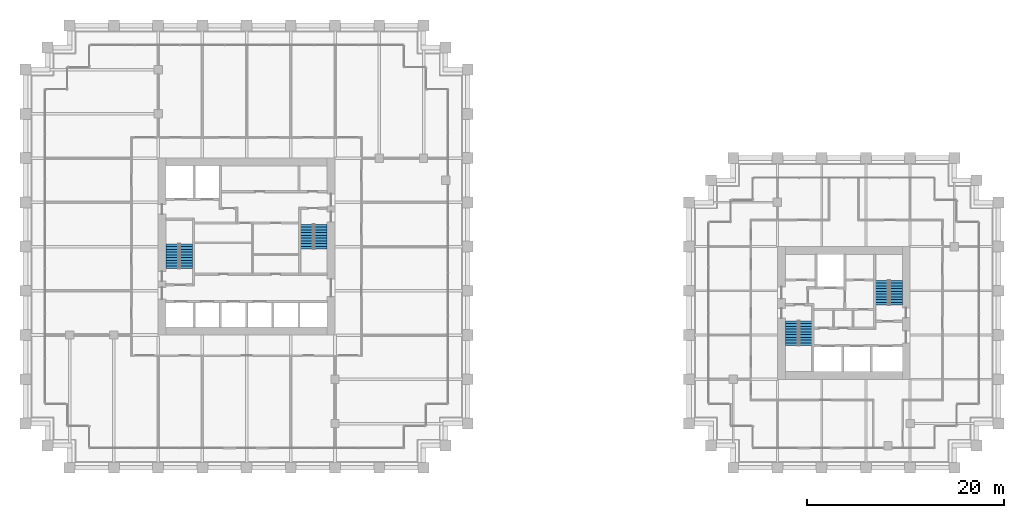
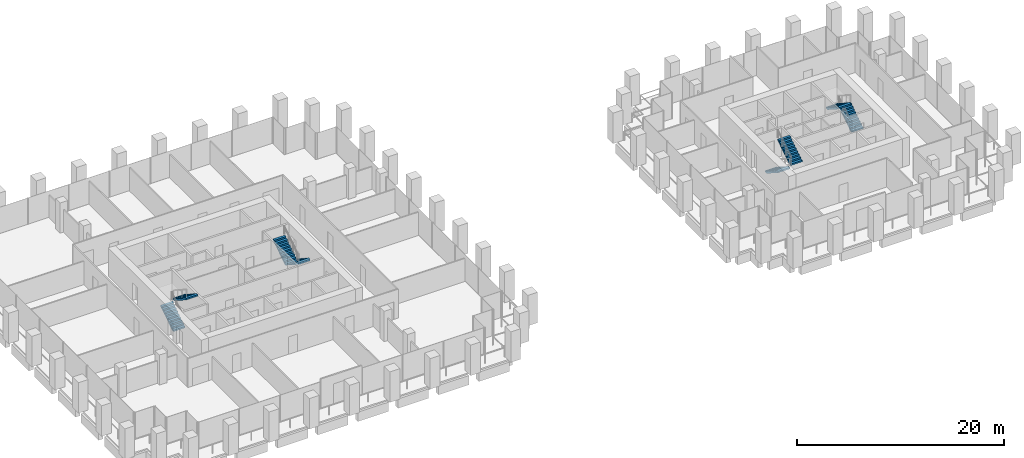
# One storey, part 54 of 56: 8 stair flights, 4 elements without a shape of their own.
"""IFC4 building model written with IfcOpenShell, lengths in metres."""

from ifc_helpers import new_model, si_unit, direction, frame, origin, place, context, subcontext, project, spatial, polyline, outline, extrude, material, type_object, element, aggregate, save


model = new_model("IFC4")

# Units and contexts
model_context = context("Model", 3, precision=1e-05, world=origin(), true_north=direction((0.0, 1.0)))
body_context = subcontext(model_context, "Body", "Model", "MODEL_VIEW")
ifc_project = project(units=[si_unit("LENGTHUNIT", "METRE"), si_unit("AREAUNIT", "SQUARE_METRE"), si_unit("VOLUMEUNIT", "CUBIC_METRE"), si_unit("PLANEANGLEUNIT", "RADIAN"), si_unit("MASSUNIT", "GRAM", prefix="KILO")], contexts=[model_context])

# Site, building, storey
site_placement = place(None, origin())
site = spatial("IfcSite", under=ifc_project, at=site_placement, CompositionType="ELEMENT")
building_placement = place(site_placement, origin())
building = spatial("IfcBuilding", under=site, at=building_placement, Name="Altepetl Exchange Towers", CompositionType="ELEMENT")
storey_placement = place(building_placement, frame((0.0, 0.0, 51.0)))
storey = spatial("IfcBuildingStorey", under=building, at=storey_placement, Name="L11", CompositionType="ELEMENT", Elevation=51.0)

# Stair, stair flights
ifc_material = material(Name="Concrete C40/50", Category="concrete")
stair_type = type_object("IfcStairType", Name="Exit stair 1300 flights dogleg", PredefinedType="HALF_TURN_STAIR", material=ifc_material)
stair_1_placement = place(storey_placement, origin())
stair_1 = element("IfcStair", 1, at=stair_1_placement, inside=storey, type_object=stair_type, Name="Exit stair 1", PredefinedType="HALF_TURN_STAIR")
stair_flight_type = type_object("IfcStairFlightType", Name="Stair flight 1300 wide", PredefinedType="STRAIGHT", material=ifc_material)
stair_flight_1_placement = place(storey_placement, frame((41.949951171875, 47.25, 0.0), z_axis=(0.0, 0.0, 1.0), x_axis=(0.0, 1.0, 0.0)))
stair_flight_1 = element("IfcStairFlight", 2, at=stair_flight_1_placement, type_object=stair_flight_type, Name="ST-A1c flight 1", NumberOfRisers=10, NumberOfTreads=9, PredefinedType="STRAIGHT", RiserHeight=0.18, TreadLength=0.28, context=body_context, shape_type="SweptSolid", body=[
    extrude(outline(polyline([(0.0, 0.0), (0.0, 0.179931640625), (0.280029296875, 0.179931640625), (0.280029296875, 0.360107421875), (0.56005859375, 0.360107421875), (0.56005859375, 0.5400390625), (0.840087890625, 0.5400390625), (0.840087890625, 0.719970703125), (1.1201171875, 0.719970703125), (1.1201171875, 0.89990234375), (1.39990234375, 0.89990234375), (1.39990234375, 1.080078125), (1.679931640625, 1.080078125), (1.679931640625, 1.260009765625), (1.9599609375, 1.260009765625), (1.9599609375, 1.43994140625), (2.239990234375, 1.43994140625), (2.239990234375, 1.6201171875), (2.52001953125, 1.6201171875), (2.52001953125, 1.800048828125), (2.52001953125, 1.44189453125), (0.277099609375, 0.0), (0.0, 0.0)])), frame((0.0, 0.64990234375, 0.0), z_axis=(0.0, -1.0, 0.0), x_axis=(1.0, 0.0, 0.0)), (0.0, 0.0, 1.0), 1.300048828125),
])
stair_flight_2_placement = place(storey_placement, frame((43.35009765625, 49.77001953125, 1.800048828125), z_axis=(0.0, 0.0, 1.0), x_axis=(0.0, -1.0, 0.0)))
stair_flight_2 = element("IfcStairFlight", 3, at=stair_flight_2_placement, type_object=stair_flight_type, Name="ST-A1c flight 2", NumberOfRisers=10, NumberOfTreads=9, PredefinedType="STRAIGHT", RiserHeight=0.18, TreadLength=0.28, context=body_context, shape_type="SweptSolid", body=[
    extrude(outline(polyline([(0.0, 0.0), (0.0, 0.179931640625), (0.280029296875, 0.179931640625), (0.280029296875, 0.360107421875), (0.56005859375, 0.360107421875), (0.56005859375, 0.5400390625), (0.840087890625, 0.5400390625), (0.840087890625, 0.719970703125), (1.1201171875, 0.719970703125), (1.1201171875, 0.89990234375), (1.39990234375, 0.89990234375), (1.39990234375, 1.080078125), (1.679931640625, 1.080078125), (1.679931640625, 1.260009765625), (1.9599609375, 1.260009765625), (1.9599609375, 1.43994140625), (2.239990234375, 1.43994140625), (2.239990234375, 1.6201171875), (2.52001953125, 1.6201171875), (2.52001953125, 1.800048828125), (2.52001953125, 1.44189453125), (0.277099609375, 0.0), (0.0, 0.0)])), frame((0.0, 0.64990234375, 0.0), z_axis=(0.0, -1.0, 0.0), x_axis=(1.0, 0.0, 0.0)), (0.0, 0.0, 1.0), 1.300048828125),
])
aggregate(stair_1, [stair_flight_1, stair_flight_2])

stair_2_placement = place(storey_placement, origin())
stair_2 = element("IfcStair", 4, at=stair_2_placement, inside=storey, type_object=stair_type, Name="Exit stair 2", PredefinedType="HALF_TURN_STAIR")
stair_flight_3_placement = place(storey_placement, frame((57.050048828125, 51.75, 0.0), z_axis=(0.0, 0.0, 1.0), x_axis=(0.0, -1.0, 0.0)))
stair_flight_3 = element("IfcStairFlight", 5, at=stair_flight_3_placement, type_object=stair_flight_type, Name="ST-A2c flight 1", NumberOfRisers=10, NumberOfTreads=9, PredefinedType="STRAIGHT", RiserHeight=0.18, TreadLength=0.28, context=body_context, shape_type="SweptSolid", body=[
    extrude(outline(polyline([(0.0, 0.0), (0.0, 0.179931640625), (0.280029296875, 0.179931640625), (0.280029296875, 0.360107421875), (0.56005859375, 0.360107421875), (0.56005859375, 0.5400390625), (0.840087890625, 0.5400390625), (0.840087890625, 0.719970703125), (1.1201171875, 0.719970703125), (1.1201171875, 0.89990234375), (1.39990234375, 0.89990234375), (1.39990234375, 1.080078125), (1.679931640625, 1.080078125), (1.679931640625, 1.260009765625), (1.9599609375, 1.260009765625), (1.9599609375, 1.43994140625), (2.239990234375, 1.43994140625), (2.239990234375, 1.6201171875), (2.52001953125, 1.6201171875), (2.52001953125, 1.800048828125), (2.52001953125, 1.44189453125), (0.277099609375, 0.0), (0.0, 0.0)])), frame((0.0, 0.64990234375, 0.0), z_axis=(0.0, -1.0, 0.0), x_axis=(1.0, 0.0, 0.0)), (0.0, 0.0, 1.0), 1.300048828125),
])
stair_flight_4_placement = place(storey_placement, frame((55.64990234375, 49.22998046875, 1.800048828125), z_axis=(0.0, 0.0, 1.0), x_axis=(0.0, 1.0, 0.0)))
stair_flight_4 = element("IfcStairFlight", 6, at=stair_flight_4_placement, type_object=stair_flight_type, Name="ST-A2c flight 2", NumberOfRisers=10, NumberOfTreads=9, PredefinedType="STRAIGHT", RiserHeight=0.18, TreadLength=0.28, context=body_context, shape_type="SweptSolid", body=[
    extrude(outline(polyline([(0.0, 0.0), (0.0, 0.179931640625), (0.280029296875, 0.179931640625), (0.280029296875, 0.360107421875), (0.56005859375, 0.360107421875), (0.56005859375, 0.5400390625), (0.840087890625, 0.5400390625), (0.840087890625, 0.719970703125), (1.1201171875, 0.719970703125), (1.1201171875, 0.89990234375), (1.39990234375, 0.89990234375), (1.39990234375, 1.080078125), (1.679931640625, 1.080078125), (1.679931640625, 1.260009765625), (1.9599609375, 1.260009765625), (1.9599609375, 1.43994140625), (2.239990234375, 1.43994140625), (2.239990234375, 1.6201171875), (2.52001953125, 1.6201171875), (2.52001953125, 1.800048828125), (2.52001953125, 1.44189453125), (0.277099609375, 0.0), (0.0, 0.0)])), frame((0.0, 0.64990234375, 0.0), z_axis=(0.0, -1.0, 0.0), x_axis=(1.0, 0.0, 0.0)), (0.0, 0.0, 1.0), 1.300048828125),
])
aggregate(stair_2, [stair_flight_3, stair_flight_4])

stair_3_placement = place(storey_placement, origin())
stair_3 = element("IfcStair", 7, at=stair_3_placement, inside=storey, type_object=stair_type, Name="Exit stair 1", PredefinedType="HALF_TURN_STAIR")
stair_flight_5_placement = place(storey_placement, frame((104.949951171875, 41.949951171875, 0.0), z_axis=(0.0, 0.0, 1.0), x_axis=(0.0, -1.0, 0.0)))
stair_flight_5 = element("IfcStairFlight", 8, at=stair_flight_5_placement, type_object=stair_flight_type, Name="ST-B1c flight 1", NumberOfRisers=10, NumberOfTreads=9, PredefinedType="STRAIGHT", RiserHeight=0.18, TreadLength=0.28, context=body_context, shape_type="SweptSolid", body=[
    extrude(outline(polyline([(0.0, 0.0), (0.0, 0.179931640625), (0.280029296875, 0.179931640625), (0.280029296875, 0.360107421875), (0.56005859375, 0.360107421875), (0.56005859375, 0.5400390625), (0.840087890625, 0.5400390625), (0.840087890625, 0.719970703125), (1.1201171875, 0.719970703125), (1.1201171875, 0.89990234375), (1.39990234375, 0.89990234375), (1.39990234375, 1.080078125), (1.679931640625, 1.080078125), (1.679931640625, 1.260009765625), (1.9599609375, 1.260009765625), (1.9599609375, 1.43994140625), (2.239990234375, 1.43994140625), (2.239990234375, 1.6201171875), (2.52001953125, 1.6201171875), (2.52001953125, 1.800048828125), (2.52001953125, 1.44189453125), (0.277099609375, 0.0), (0.0, 0.0)])), frame((0.0, 0.64990234375, 0.0), z_axis=(0.0, -1.0, 0.0), x_axis=(1.0, 0.0, 0.0)), (0.0, 0.0, 1.0), 1.300048828125),
])
stair_flight_6_placement = place(storey_placement, frame((106.35009765625, 39.429931640625, 1.800048828125), z_axis=(0.0, 0.0, 1.0), x_axis=(0.0, 1.0, 0.0)))
stair_flight_6 = element("IfcStairFlight", 9, at=stair_flight_6_placement, type_object=stair_flight_type, Name="ST-B1c flight 2", NumberOfRisers=10, NumberOfTreads=9, PredefinedType="STRAIGHT", RiserHeight=0.18, TreadLength=0.28, context=body_context, shape_type="SweptSolid", body=[
    extrude(outline(polyline([(0.0, 0.0), (0.0, 0.179931640625), (0.280029296875, 0.179931640625), (0.280029296875, 0.360107421875), (0.56005859375, 0.360107421875), (0.56005859375, 0.5400390625), (0.840087890625, 0.5400390625), (0.840087890625, 0.719970703125), (1.1201171875, 0.719970703125), (1.1201171875, 0.89990234375), (1.39990234375, 0.89990234375), (1.39990234375, 1.080078125), (1.679931640625, 1.080078125), (1.679931640625, 1.260009765625), (1.9599609375, 1.260009765625), (1.9599609375, 1.43994140625), (2.239990234375, 1.43994140625), (2.239990234375, 1.6201171875), (2.52001953125, 1.6201171875), (2.52001953125, 1.800048828125), (2.52001953125, 1.44189453125), (0.277099609375, 0.0), (0.0, 0.0)])), frame((0.0, 0.64990234375, 0.0), z_axis=(0.0, -1.0, 0.0), x_axis=(1.0, 0.0, 0.0)), (0.0, 0.0, 1.0), 1.300048828125),
])
aggregate(stair_3, [stair_flight_5, stair_flight_6])

stair_4_placement = place(storey_placement, origin())
stair_4 = element("IfcStair", 10, at=stair_4_placement, inside=storey, type_object=stair_type, Name="Exit stair 2", PredefinedType="HALF_TURN_STAIR")
stair_flight_7_placement = place(storey_placement, frame((115.550048828125, 43.550048828125, 0.0), z_axis=(0.0, 0.0, 1.0), x_axis=(0.0, 1.0, 0.0)))
stair_flight_7 = element("IfcStairFlight", 11, at=stair_flight_7_placement, type_object=stair_flight_type, Name="ST-B2c flight 1", NumberOfRisers=10, NumberOfTreads=9, PredefinedType="STRAIGHT", RiserHeight=0.18, TreadLength=0.28, context=body_context, shape_type="SweptSolid", body=[
    extrude(outline(polyline([(0.0, 0.0), (0.0, 0.179931640625), (0.280029296875, 0.179931640625), (0.280029296875, 0.360107421875), (0.56005859375, 0.360107421875), (0.56005859375, 0.5400390625), (0.840087890625, 0.5400390625), (0.840087890625, 0.719970703125), (1.1201171875, 0.719970703125), (1.1201171875, 0.89990234375), (1.39990234375, 0.89990234375), (1.39990234375, 1.080078125), (1.679931640625, 1.080078125), (1.679931640625, 1.260009765625), (1.9599609375, 1.260009765625), (1.9599609375, 1.43994140625), (2.239990234375, 1.43994140625), (2.239990234375, 1.6201171875), (2.52001953125, 1.6201171875), (2.52001953125, 1.800048828125), (2.52001953125, 1.44189453125), (0.277099609375, 0.0), (0.0, 0.0)])), frame((0.0, 0.64990234375, 0.0), z_axis=(0.0, -1.0, 0.0), x_axis=(1.0, 0.0, 0.0)), (0.0, 0.0, 1.0), 1.300048828125),
])
stair_flight_8_placement = place(storey_placement, frame((114.14990234375, 46.070068359375, 1.800048828125), z_axis=(0.0, 0.0, 1.0), x_axis=(0.0, -1.0, 0.0)))
stair_flight_8 = element("IfcStairFlight", 12, at=stair_flight_8_placement, type_object=stair_flight_type, Name="ST-B2c flight 2", NumberOfRisers=10, NumberOfTreads=9, PredefinedType="STRAIGHT", RiserHeight=0.18, TreadLength=0.28, context=body_context, shape_type="SweptSolid", body=[
    extrude(outline(polyline([(0.0, 0.0), (0.0, 0.179931640625), (0.280029296875, 0.179931640625), (0.280029296875, 0.360107421875), (0.56005859375, 0.360107421875), (0.56005859375, 0.5400390625), (0.840087890625, 0.5400390625), (0.840087890625, 0.719970703125), (1.1201171875, 0.719970703125), (1.1201171875, 0.89990234375), (1.39990234375, 0.89990234375), (1.39990234375, 1.080078125), (1.679931640625, 1.080078125), (1.679931640625, 1.260009765625), (1.9599609375, 1.260009765625), (1.9599609375, 1.43994140625), (2.239990234375, 1.43994140625), (2.239990234375, 1.6201171875), (2.52001953125, 1.6201171875), (2.52001953125, 1.800048828125), (2.52001953125, 1.44189453125), (0.277099609375, 0.0), (0.0, 0.0)])), frame((0.0, 0.64990234375, 0.0), z_axis=(0.0, -1.0, 0.0), x_axis=(1.0, 0.0, 0.0)), (0.0, 0.0, 1.0), 1.300048828125),
])
aggregate(stair_4, [stair_flight_7, stair_flight_8])

save(model, "model.ifc")
